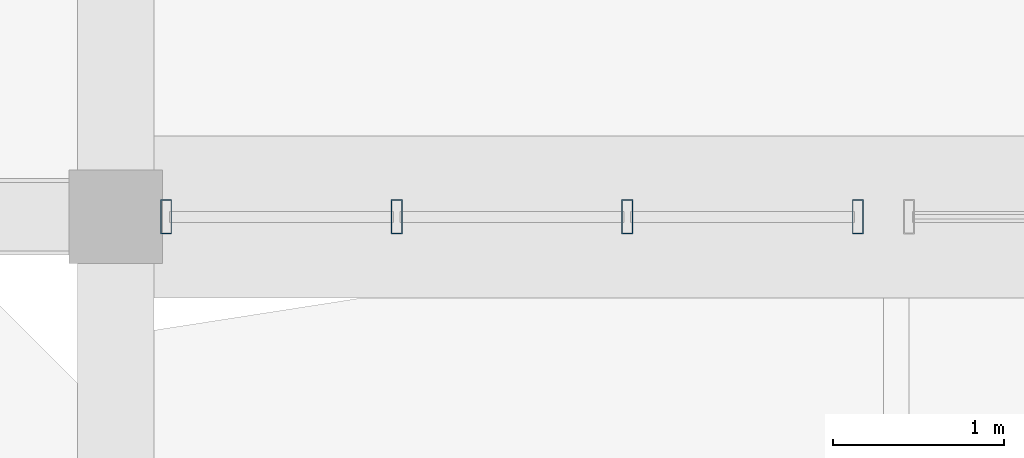
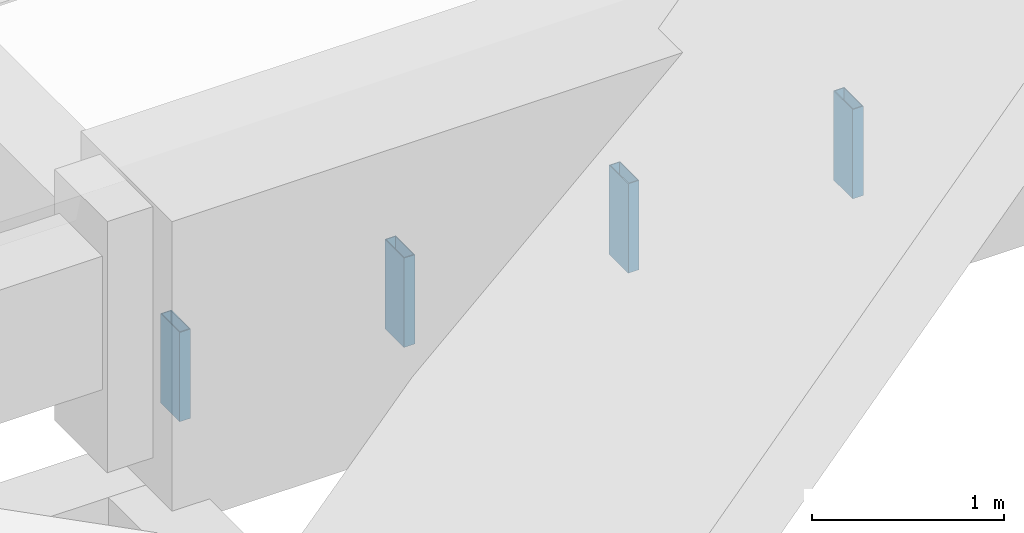
# One storey, part 64 of 82: 4 members, 1 element without a shape of its own.
"""IFC4 building model written with IfcOpenShell, lengths in metres."""

import ifcopenshell
import ifcopenshell.guid

model = None  # the IFC model being written
_history = None  # IfcOwnerHistory: only IFC2X3 demands one
_inside = {}  # id of a spatial element -> (the spatial element, [elements in it])
_under = {}  # id of a project, library or spatial element -> (it, [spatial elements below it])
_declared = {}  # id of a project -> (the project, [libraries it declares])
_typed = {}  # id of a type object -> (the type object, [elements of that type])
_made_of = {}  # id of a material, layer set ... -> (it, [elements and type objects made of it])


def new_model(schema):
    """Start an empty IFC model of exactly this schema.

    Asked for "IFC4X3", IfcOpenShell would pick the latest addendum, in which some entities
    have other attributes; the version numbers below select the first issue.
    IFC2X3 requires an IfcOwnerHistory on every rooted entity: one is made here for all.
    """
    global model, _history
    if schema == "IFC4X3":
        model = ifcopenshell.file(schema_version=(4, 3, 0, 0))
    else:
        model = ifcopenshell.file(schema=schema)
    _inside.clear()
    _under.clear()
    _declared.clear()
    _typed.clear()
    _made_of.clear()
    _history = None
    if model.schema == "IFC2X3":
        org = make("IfcOrganization", Name="unknown")
        user = make(
            "IfcPersonAndOrganization",
            ThePerson=make("IfcPerson", FamilyName="unknown"),
            TheOrganization=org,
        )
        app = make(
            "IfcApplication",
            ApplicationDeveloper=org,
            Version="unknown",
            ApplicationFullName="unknown",
            ApplicationIdentifier="unknown",
        )
        _history = make(
            "IfcOwnerHistory",
            OwningUser=user,
            OwningApplication=app,
            ChangeAction="ADDED",
            CreationDate=0,
        )
    return model


def make(cls, **values):
    """One entity of the class cls with the attributes given. An attribute that is None is left unset."""
    return model.create_entity(
        cls, **{name: value for name, value in values.items() if value is not None}
    )


def rooted(cls, **values):
    """An entity with a GlobalId (a new one), such as an element, a storey or a relation."""
    return make(cls, GlobalId=ifcopenshell.guid.new(), OwnerHistory=_history, **values)


def si_unit(unit_type, name, prefix=None):
    """IfcSIUnit, for example si_unit("LENGTHUNIT", "METRE", prefix="MILLI")."""
    return make("IfcSIUnit", UnitType=unit_type, Prefix=prefix, Name=name)


def assignment(units):
    """IfcUnitAssignment: the units of a project."""
    return None if units is None else make("IfcUnitAssignment", Units=units)


def point(xyz):
    """IfcCartesianPoint."""
    return None if xyz is None else make("IfcCartesianPoint", Coordinates=xyz)


def direction(xyz):
    """IfcDirection."""
    return None if xyz is None else make("IfcDirection", DirectionRatios=xyz)


def frame(location, z_axis=None, x_axis=None):
    """IfcAxis2Placement3D, a coordinate frame: its origin and axes. An axis left out is left unset."""
    return make(
        "IfcAxis2Placement3D",
        Location=point(location),
        Axis=direction(z_axis),
        RefDirection=direction(x_axis),
    )


def frame_2d(location, x_axis=None):
    """IfcAxis2Placement2D, a coordinate frame in the plane: its origin and x axis."""
    return make(
        "IfcAxis2Placement2D", Location=point(location), RefDirection=direction(x_axis)
    )


def origin():
    """The frame at (0, 0, 0) with its axes left unset."""
    return frame((0.0, 0.0, 0.0))


def origin_2d():
    """The frame at (0, 0) in the plane with its x axis left unset."""
    return frame_2d((0.0, 0.0))


def place(relative_to, where):
    """IfcLocalPlacement: puts the frame where relative to a parent placement (None: the world)."""
    return make(
        "IfcLocalPlacement", PlacementRelTo=relative_to, RelativePlacement=where
    )


def context(
    kind, dimensions, precision=None, world=None, true_north=None, identifier=None
):
    """IfcGeometricRepresentationContext, for example the 3D "Model" context."""
    return make(
        "IfcGeometricRepresentationContext",
        ContextIdentifier=identifier,
        ContextType=kind,
        CoordinateSpaceDimension=dimensions,
        Precision=precision,
        WorldCoordinateSystem=world,
        TrueNorth=true_north,
    )


def subcontext(parent, identifier, kind, view, scale=None):
    """IfcGeometricRepresentationSubContext, for example "Body" below "Model"."""
    return make(
        "IfcGeometricRepresentationSubContext",
        ContextIdentifier=identifier,
        ContextType=kind,
        ParentContext=parent,
        TargetScale=scale,
        TargetView=view,
    )


def project(units=None, contexts=None):
    """IfcProject with its units and contexts."""
    return rooted(
        "IfcProject",
        Name="project",
        RepresentationContexts=contexts,
        UnitsInContext=assignment(units),
    )


def spatial(cls, under=None, at=None, **own):
    """A site, building, storey or space (cls), placed at a placement, below another one or the project."""
    s = rooted(cls, ObjectPlacement=at, **own)
    if under is not None:
        _under.setdefault(under.id(), (under, []))[1].append(s)
    return s


def profile(cls, at=None, kind="AREA", **sizes):
    """A parametric profile (cls). Its sizes go by their IFC names, for example OverallWidth=200.0."""
    return make(cls, ProfileType=kind, Position=at, **sizes)


def hollow_rectangle(**sizes):
    """IfcRectangleHollowProfileDef."""
    return profile("IfcRectangleHollowProfileDef", **sizes)


def extrude(swept, where, along, depth):
    """IfcExtrudedAreaSolid: the profile swept, set in the frame where, extruded along a direction by depth."""
    return make(
        "IfcExtrudedAreaSolid",
        SweptArea=swept,
        Position=where,
        ExtrudedDirection=direction(along),
        Depth=depth,
    )


def shape(context_of_items, identifier, shape_type, items):
    """IfcShapeRepresentation: the items that make up one representation, for example the "Body"."""
    return make(
        "IfcShapeRepresentation",
        ContextOfItems=context_of_items,
        RepresentationIdentifier=identifier,
        RepresentationType=shape_type,
        Items=items,
    )


def material(Name=None, Category=None):
    """IfcMaterial."""
    return make("IfcMaterial", Name=Name, Category=Category)


def layer(
    of_material, thickness, ventilated=None, Name=None, Category=None, Priority=None
):
    """IfcMaterialLayer: one layer of a wall or slab, of a material (None: an air gap)."""
    return make(
        "IfcMaterialLayer",
        Material=of_material,
        LayerThickness=thickness,
        IsVentilated=ventilated,
        Name=Name,
        Category=Category,
        Priority=Priority,
    )


def layer_set(layers, Name=None):
    """IfcMaterialLayerSet."""
    return make("IfcMaterialLayerSet", MaterialLayers=layers, LayerSetName=Name)


def material_profile(
    of_material, cross_section, Name=None, Category=None, Priority=None
):
    """IfcMaterialProfile: a cross section and its material."""
    return make(
        "IfcMaterialProfile",
        Name=Name,
        Material=of_material,
        Profile=cross_section,
        Priority=Priority,
        Category=Category,
    )


def profile_set(profiles, Name=None, composite=None):
    """IfcMaterialProfileSet."""
    return make(
        "IfcMaterialProfileSet",
        Name=Name,
        MaterialProfiles=profiles,
        CompositeProfile=composite,
    )


def made_of(thing, what):
    """Note that an element or type object is made of a material, layer set ...; save() writes the relation."""
    if what is not None:
        _made_of.setdefault(what.id(), (what, []))[1].append(thing)
    return thing


def type_object(cls, material=None, **own):
    """A type object (cls), such as IfcWallType, which elements share."""
    return made_of(rooted(cls, **own), material)


def element(
    cls,
    number,
    at=None,
    inside=None,
    cuts=None,
    type_object=None,
    material=None,
    context=None,
    identifier="Body",
    shape_type=None,
    held_by="IfcProductDefinitionShape",
    body=None,
    shapes=None,
    **own,
):
    """One element of the class cls, such as IfcWall. Its Tag is "e" and its number.

    at: its placement. inside: the storey or other place that contains it. cuts: it is an
    opening in that element (IfcRelVoidsElement). A single representation is given by context,
    identifier, shape_type and body (its items); several are given by shapes. held_by: the class
    of the entity that holds the representations. save() writes the other relations.
    """
    e = rooted(cls, Tag="e%d" % number, ObjectPlacement=at, **own)
    if body is not None:
        shapes = [shape(context, identifier, shape_type, body)]
    if shapes is not None:
        e.Representation = make(held_by, Representations=shapes)
    if inside is not None:
        _inside.setdefault(inside.id(), (inside, []))[1].append(e)
    if cuts is not None:
        rooted(
            "IfcRelVoidsElement", RelatingBuildingElement=cuts, RelatedOpeningElement=e
        )
    if type_object is not None:
        _typed.setdefault(type_object.id(), (type_object, []))[1].append(e)
    return made_of(e, material)


def aggregate(whole, parts):
    """IfcRelAggregates: a whole, such as a stair, and the parts it consists of."""
    return rooted("IfcRelAggregates", RelatingObject=whole, RelatedObjects=parts)


def save(model, path):
    """Write the relations noted so far, then the file.

    IfcRelAggregates (storeys below a building ...), IfcRelContainedInSpatialStructure (elements
    in a storey), IfcRelDefinesByType, IfcRelAssociatesMaterial and IfcRelDeclares: one each for
    every whole, place, type object, material and project.
    """
    for whole, parts in _under.values():
        aggregate(whole, parts)
    for where, things in _inside.values():
        rooted(
            "IfcRelContainedInSpatialStructure",
            RelatedElements=things,
            RelatingStructure=where,
        )
    for kind, things in _typed.values():
        rooted("IfcRelDefinesByType", RelatedObjects=things, RelatingType=kind)
    for what, things in _made_of.values():
        rooted("IfcRelAssociatesMaterial", RelatedObjects=things, RelatingMaterial=what)
    for by, libraries in _declared.values():
        rooted("IfcRelDeclares", RelatingContext=by, RelatedDefinitions=libraries)
    model.write(path)


model = new_model("IFC4")

# Units and contexts
model_context = context("Model", 3, precision=1e-05, world=origin(), true_north=direction((0.0, 1.0)))
body_context = subcontext(model_context, "Body", "Model", "MODEL_VIEW")
ifc_project = project(units=[si_unit("LENGTHUNIT", "METRE"), si_unit("AREAUNIT", "SQUARE_METRE"), si_unit("VOLUMEUNIT", "CUBIC_METRE"), si_unit("PLANEANGLEUNIT", "RADIAN"), si_unit("MASSUNIT", "GRAM", prefix="KILO")], contexts=[model_context])

# Site, building, storey
site_placement = place(None, origin())
site = spatial("IfcSite", under=ifc_project, at=site_placement, CompositionType="ELEMENT")
building_placement = place(site_placement, origin())
building = spatial("IfcBuilding", under=site, at=building_placement, Name="Mersad Railyard Sports Hall", CompositionType="ELEMENT")
storey_placement = place(building_placement, frame((0.0, 0.0, 13.199951171875)))
storey = spatial("IfcBuildingStorey", under=building, at=storey_placement, Name="L03", CompositionType="ELEMENT", Elevation=13.199951171875)

# Curtain wall, members
ifc_material = material(Name="Aluminium 6063-T6", Category="aluminium")
ifc_layer = layer(ifc_material, 0.199951171875)
ifc_layer_set = layer_set([ifc_layer], Name="Aluminium 6063-T6")
curtain_wall_type = type_object("IfcCurtainWallType", Name="ARC-CW-CW41", PredefinedType="USERDEFINED", material=ifc_layer_set)
curtain_wall_placement = place(storey_placement, origin())
curtain_wall = element("IfcCurtainWall", 1, at=curtain_wall_placement, inside=storey, type_object=curtain_wall_type, Name="Curtain wall CW41-0113", ObjectType="CURTAIN WALL", PredefinedType="USERDEFINED")
ifc_material_profile = material_profile(ifc_material, hollow_rectangle(XDim=0.06494140625, YDim=0.199951171875, WallThickness=0.0048828125, at=origin_2d()), Name="AL MULLION 65x200x5")
ifc_profile_set = profile_set([ifc_material_profile], Name="Aluminium 6063-T6")
member_type = type_object("IfcMemberType", Name="ARC-CW-MUL02", PredefinedType="MULLION", material=ifc_profile_set)
member_1_placement = place(storey_placement, frame((137.294921875, 73.5, 0.030029296875), z_axis=(0.0, 0.0, 1.0), x_axis=(1.0, 0.0, 0.0)))
member_1 = element("IfcMember", 2, at=member_1_placement, type_object=member_type, Name="CW41 Mullion 1", PredefinedType="MULLION", context=body_context, shape_type="SweptSolid", body=[
    extrude(hollow_rectangle(XDim=0.06494140625, YDim=0.199951171875, WallThickness=0.0048828125, at=origin_2d()), origin(), (0.0, 0.0, 1.0), 0.570068359375),
])
member_2_placement = place(storey_placement, frame((138.646728515625, 73.5, 0.030029296875), z_axis=(0.0, 0.0, 1.0), x_axis=(1.0, 0.0, 0.0)))
member_2 = element("IfcMember", 3, at=member_2_placement, type_object=member_type, Name="CW41 Mullion 2", PredefinedType="MULLION", context=body_context, shape_type="SweptSolid", body=[
    extrude(hollow_rectangle(XDim=0.06494140625, YDim=0.199951171875, WallThickness=0.0048828125, at=origin_2d()), origin(), (0.0, 0.0, 1.0), 0.570068359375),
])
member_3_placement = place(storey_placement, frame((139.998291015625, 73.5, 0.030029296875), z_axis=(0.0, 0.0, 1.0), x_axis=(1.0, 0.0, 0.0)))
member_3 = element("IfcMember", 4, at=member_3_placement, type_object=member_type, Name="CW41 Mullion 3", PredefinedType="MULLION", context=body_context, shape_type="SweptSolid", body=[
    extrude(hollow_rectangle(XDim=0.06494140625, YDim=0.199951171875, WallThickness=0.0048828125, at=origin_2d()), origin(), (0.0, 0.0, 1.0), 0.570068359375),
])
member_4_placement = place(storey_placement, frame((141.35009765625, 73.5, 0.030029296875), z_axis=(0.0, 0.0, 1.0), x_axis=(1.0, 0.0, 0.0)))
member_4 = element("IfcMember", 5, at=member_4_placement, type_object=member_type, Name="CW41 Mullion 4", PredefinedType="MULLION", context=body_context, shape_type="SweptSolid", body=[
    extrude(hollow_rectangle(XDim=0.06494140625, YDim=0.199951171875, WallThickness=0.0048828125, at=origin_2d()), origin(), (0.0, 0.0, 1.0), 0.570068359375),
])
aggregate(curtain_wall, [member_1, member_2, member_3, member_4])

save(model, "model.ifc")
